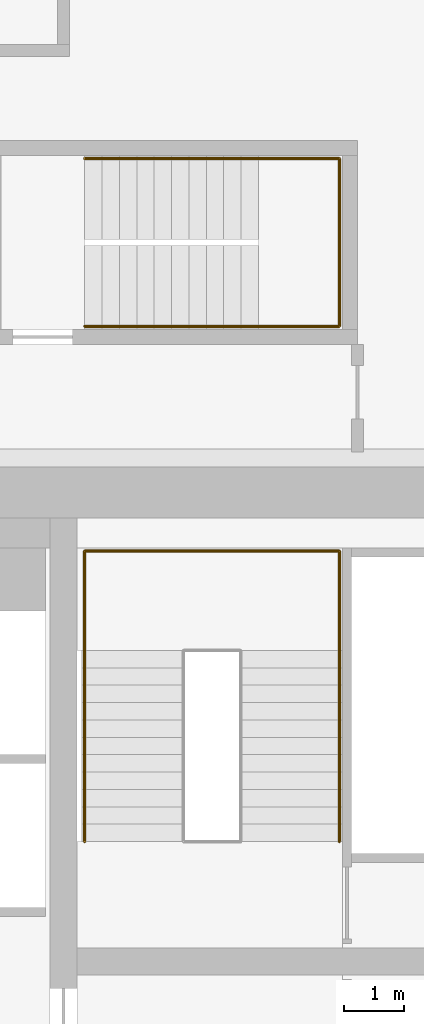
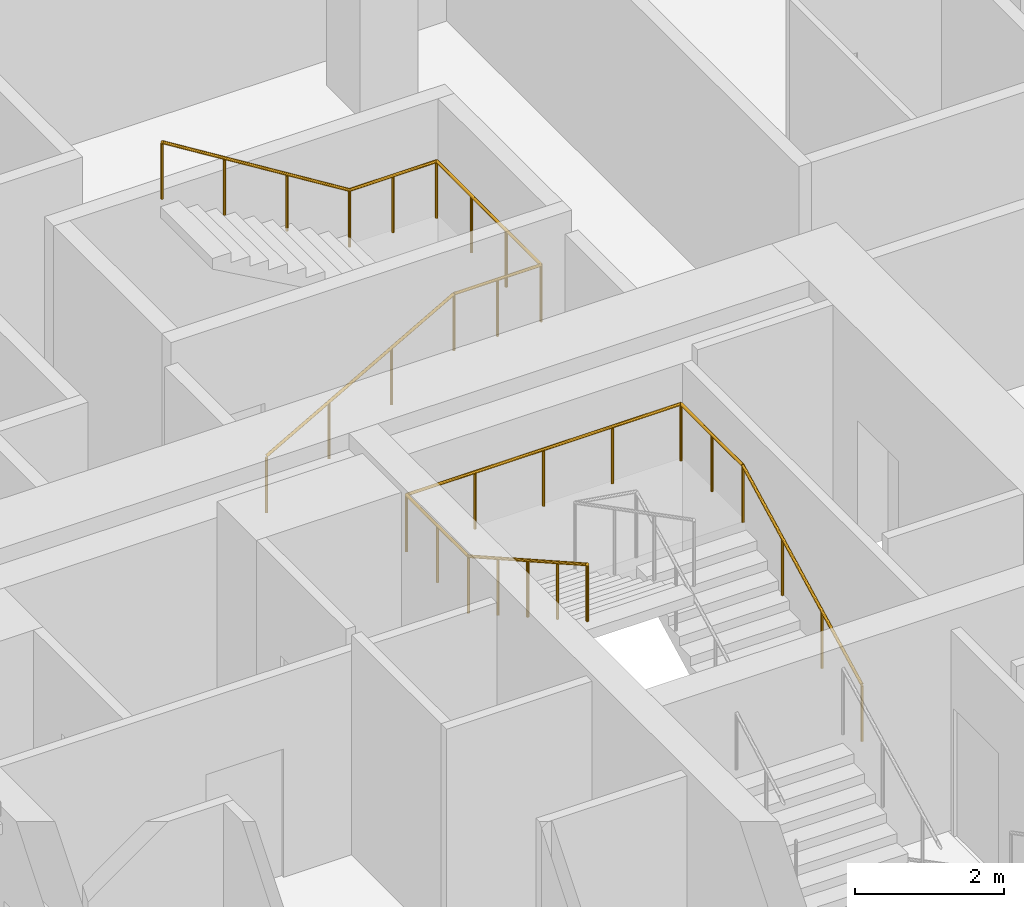
# One storey, part 36 of 36: 2 railings.
"""IFC4 building model written with IfcOpenShell, lengths in metres."""

from ifc_helpers import new_model, si_unit, direction, frame, origin, origin_2d, place, context, subcontext, project, spatial, circle, extrude, material, type_object, element, save


model = new_model("IFC4")

# Units and contexts
model_context = context("Model", 3, precision=1e-05, world=origin(), true_north=direction((0.0, 1.0)))
body_context = subcontext(model_context, "Body", "Model", "MODEL_VIEW")
ifc_project = project(units=[si_unit("LENGTHUNIT", "METRE"), si_unit("AREAUNIT", "SQUARE_METRE"), si_unit("VOLUMEUNIT", "CUBIC_METRE"), si_unit("PLANEANGLEUNIT", "RADIAN"), si_unit("MASSUNIT", "GRAM", prefix="KILO")], contexts=[model_context])

# Site, building, storey
site_placement = place(None, origin())
site = spatial("IfcSite", under=ifc_project, at=site_placement, CompositionType="ELEMENT")
building_placement = place(site_placement, origin())
building = spatial("IfcBuilding", under=site, at=building_placement, Name="Marenta Gate Hotel Tower", CompositionType="ELEMENT")
storey_placement = place(building_placement, frame((0.0, 0.0, 144.5)))
storey = spatial("IfcBuildingStorey", under=building, at=storey_placement, Name="L33", CompositionType="ELEMENT", Elevation=144.5)

# Railings
ifc_material = material(Name="Stainless steel", Category="steel")
railing_type = type_object("IfcRailingType", Name="Core stair handrail 950", PredefinedType="HANDRAIL", material=ifc_material)
railing_1_placement = place(storey_placement, frame((8.800048828125, 10.39990234375, 0.14990234375)))
element("IfcRailing", 1, at=railing_1_placement, inside=storey, type_object=railing_type, Name="HR-950 L33-KR-ST4-1", PredefinedType="HANDRAIL", context=body_context, shape_type="SweptSolid", body=[
    extrude(circle(Radius=0.02392578125, at=origin_2d()), frame((0.0, 0.0, 0.92578125), z_axis=(0.0, 0.888211904222, 0.459434013977), x_axis=(-1.0, 0.0, 0.0)), (0.0, 0.0, 1.0), 3.591796875),
    extrude(circle(Radius=0.02392578125, at=origin_2d()), frame((0.0, 3.190185546875, 2.576171875), z_axis=(0.0, 1.0, 0.0), x_axis=(-1.0, 0.0, 0.0)), (0.0, 0.0, 1.0), 1.659912109375),
    extrude(circle(Radius=0.02392578125, at=origin_2d()), frame((0.0, 4.85009765625, 2.576171875), z_axis=(-1.0, 0.0, 0.0), x_axis=(0.0, -1.0, 0.0)), (0.0, 0.0, 1.0), 4.25),
    extrude(circle(Radius=0.02392578125, at=origin_2d()), frame((-4.25, 4.85009765625, 2.576171875), z_axis=(0.0, -1.0, 0.0), x_axis=(1.0, 0.0, 0.0)), (0.0, 0.0, 1.0), 1.659912109375),
    extrude(circle(Radius=0.02392578125, at=origin_2d()), frame((-4.25, 3.190185546875, 2.576171875), z_axis=(0.0, -0.870925075533, 0.491415824742), x_axis=(1.0, 0.0, 0.0)), (0.0, 0.0, 1.0), 3.6630859375),
    extrude(circle(Radius=0.02099609375, at=origin_2d()), origin(), (0.0, 0.0, 1.0), 0.90185546875),
    extrude(circle(Radius=0.02099609375, at=origin_2d()), frame((0.0, 1.0634765625, 0.550048828125)), (0.0, 0.0, 1.0), 0.90185546875),
    extrude(circle(Radius=0.02099609375, at=origin_2d()), frame((0.0, 2.126708984375, 1.10009765625)), (0.0, 0.0, 1.0), 0.90185546875),
    extrude(circle(Radius=0.02099609375, at=origin_2d()), frame((0.0, 3.190185546875, 1.650146484375)), (0.0, 0.0, 1.0), 0.90185546875),
    extrude(circle(Radius=0.02099609375, at=origin_2d()), frame((0.0, 4.02001953125, 1.650146484375)), (0.0, 0.0, 1.0), 0.90185546875),
    extrude(circle(Radius=0.02099609375, at=origin_2d()), frame((0.0, 4.85009765625, 1.650146484375)), (0.0, 0.0, 1.0), 0.90185546875),
    extrude(circle(Radius=0.02099609375, at=origin_2d()), frame((-1.0625, 4.85009765625, 1.650146484375)), (0.0, 0.0, 1.0), 0.90185546875),
    extrude(circle(Radius=0.02099609375, at=origin_2d()), frame((-2.125, 4.85009765625, 1.650146484375)), (0.0, 0.0, 1.0), 0.90185546875),
    extrude(circle(Radius=0.02099609375, at=origin_2d()), frame((-3.1875, 4.85009765625, 1.650146484375)), (0.0, 0.0, 1.0), 0.90185546875),
    extrude(circle(Radius=0.02099609375, at=origin_2d()), frame((-4.25, 4.85009765625, 1.650146484375)), (0.0, 0.0, 1.0), 0.90185546875),
    extrude(circle(Radius=0.02099609375, at=origin_2d()), frame((-4.25, 4.02001953125, 1.650146484375)), (0.0, 0.0, 1.0), 0.90185546875),
    extrude(circle(Radius=0.02099609375, at=origin_2d()), frame((-4.25, 3.190185546875, 1.650146484375)), (0.0, 0.0, 1.0), 0.90185546875),
    extrude(circle(Radius=0.02099609375, at=origin_2d()), frame((-4.25, 2.392578125, 2.10009765625)), (0.0, 0.0, 1.0), 0.90185546875),
    extrude(circle(Radius=0.02099609375, at=origin_2d()), frame((-4.25, 1.59521484375, 2.55029296875)), (0.0, 0.0, 1.0), 0.90185546875),
    extrude(circle(Radius=0.02099609375, at=origin_2d()), frame((-4.25, 0.797607421875, 3.000244140625)), (0.0, 0.0, 1.0), 0.90185546875),
    extrude(circle(Radius=0.02099609375, at=origin_2d()), frame((-4.25, 0.0, 3.4501953125)), (0.0, 0.0, 1.0), 0.90185546875),
])
railing_2_placement = place(storey_placement, frame((4.550048828125, 19.0, 0.16357421875)))
element("IfcRailing", 2, at=railing_2_placement, inside=storey, type_object=railing_type, Name="HR-950 L33-RS-Z2-4-KR-1", PredefinedType="HANDRAIL", context=body_context, shape_type="SweptSolid", body=[
    extrude(circle(Radius=0.02392578125, at=origin_2d()), frame((0.0, 0.0, 0.92578125), z_axis=(0.870897200241, 0.0, 0.491465224214), x_axis=(0.0, 1.0, 0.0)), (0.0, 0.0, 1.0), 3.329833984375),
    extrude(circle(Radius=0.02392578125, at=origin_2d()), frame((2.89990234375, 0.0, 2.5625), z_axis=(1.0, 0.0, 0.0), x_axis=(0.0, 1.0, 0.0)), (0.0, 0.0, 1.0), 1.35009765625),
    extrude(circle(Radius=0.02392578125, at=origin_2d()), frame((4.25, 0.0, 2.5625), z_axis=(0.0, 1.0, 0.0), x_axis=(-1.0, 0.0, 0.0)), (0.0, 0.0, 1.0), 2.800048828125),
    extrude(circle(Radius=0.02392578125, at=origin_2d()), frame((4.25, 2.800048828125, 2.5625), z_axis=(-1.0, 0.0, 0.0), x_axis=(0.0, -1.0, 0.0)), (0.0, 0.0, 1.0), 1.35009765625),
    extrude(circle(Radius=0.02392578125, at=origin_2d()), frame((2.89990234375, 2.800048828125, 2.5625), z_axis=(-0.849625798611, 0.0, 0.527386008853), x_axis=(0.0, -1.0, 0.0)), (0.0, 0.0, 1.0), 3.4130859375),
    extrude(circle(Radius=0.02099609375, at=origin_2d()), origin(), (0.0, 0.0, 1.0), 0.90185546875),
    extrude(circle(Radius=0.02099609375, at=origin_2d()), frame((0.966552734375, 0.0, 0.54541015625)), (0.0, 0.0, 1.0), 0.90185546875),
    extrude(circle(Radius=0.02099609375, at=origin_2d()), frame((1.933349609375, 0.0, 1.091064453125)), (0.0, 0.0, 1.0), 0.90185546875),
    extrude(circle(Radius=0.02099609375, at=origin_2d()), frame((2.89990234375, 0.0, 1.636474609375)), (0.0, 0.0, 1.0), 0.90185546875),
    extrude(circle(Radius=0.02099609375, at=origin_2d()), frame((3.574951171875, 0.0, 1.636474609375)), (0.0, 0.0, 1.0), 0.90185546875),
    extrude(circle(Radius=0.02099609375, at=origin_2d()), frame((4.25, 0.0, 1.636474609375)), (0.0, 0.0, 1.0), 0.90185546875),
    extrude(circle(Radius=0.02099609375, at=origin_2d()), frame((4.25, 0.933349609375, 1.636474609375)), (0.0, 0.0, 1.0), 0.90185546875),
    extrude(circle(Radius=0.02099609375, at=origin_2d()), frame((4.25, 1.86669921875, 1.636474609375)), (0.0, 0.0, 1.0), 0.90185546875),
    extrude(circle(Radius=0.02099609375, at=origin_2d()), frame((4.25, 2.800048828125, 1.636474609375)), (0.0, 0.0, 1.0), 0.90185546875),
    extrude(circle(Radius=0.02099609375, at=origin_2d()), frame((3.574951171875, 2.800048828125, 1.636474609375)), (0.0, 0.0, 1.0), 0.90185546875),
    extrude(circle(Radius=0.02099609375, at=origin_2d()), frame((2.89990234375, 2.800048828125, 1.636474609375)), (0.0, 0.0, 1.0), 0.90185546875),
    extrude(circle(Radius=0.02099609375, at=origin_2d()), frame((1.933349609375, 2.800048828125, 2.236572265625)), (0.0, 0.0, 1.0), 0.90185546875),
    extrude(circle(Radius=0.02099609375, at=origin_2d()), frame((0.966552734375, 2.800048828125, 2.83642578125)), (0.0, 0.0, 1.0), 0.90185546875),
    extrude(circle(Radius=0.02099609375, at=origin_2d()), frame((0.0, 2.800048828125, 3.4365234375)), (0.0, 0.0, 1.0), 0.90185546875),
])

save(model, "model.ifc")
